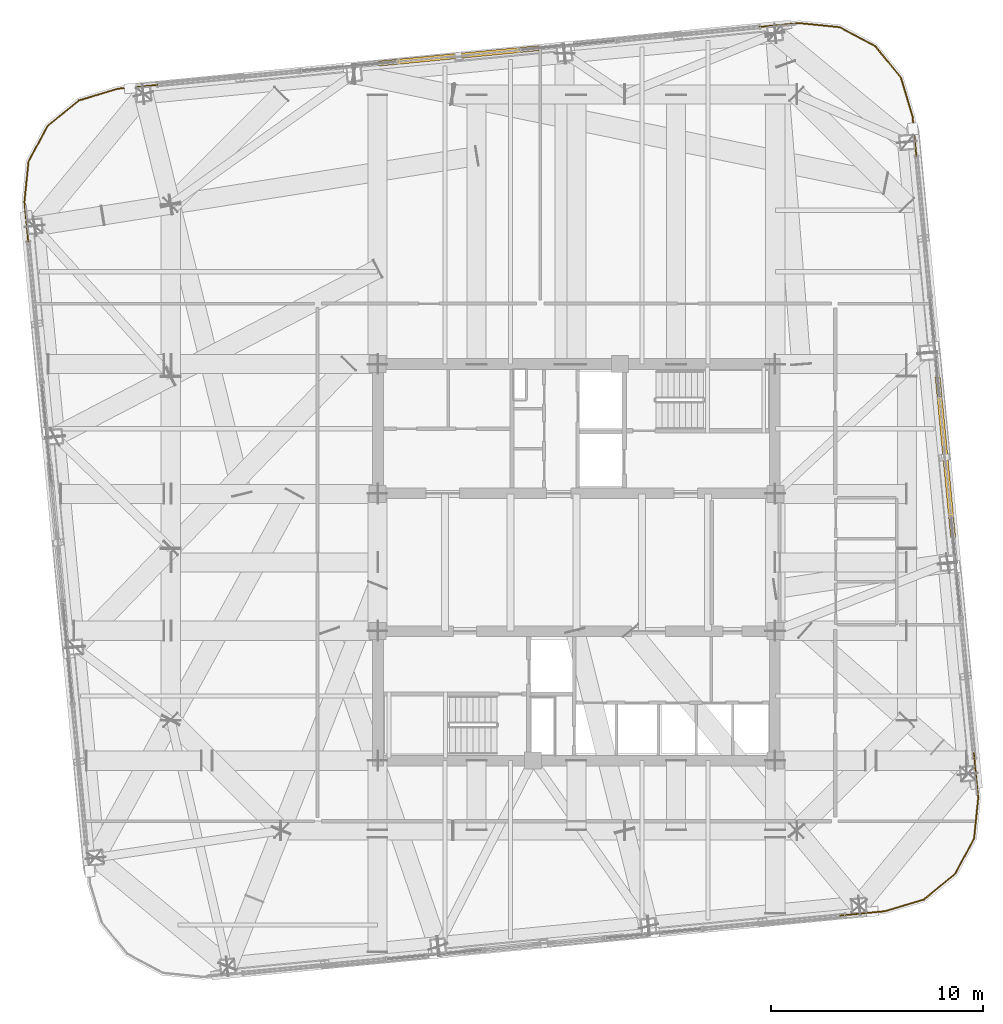
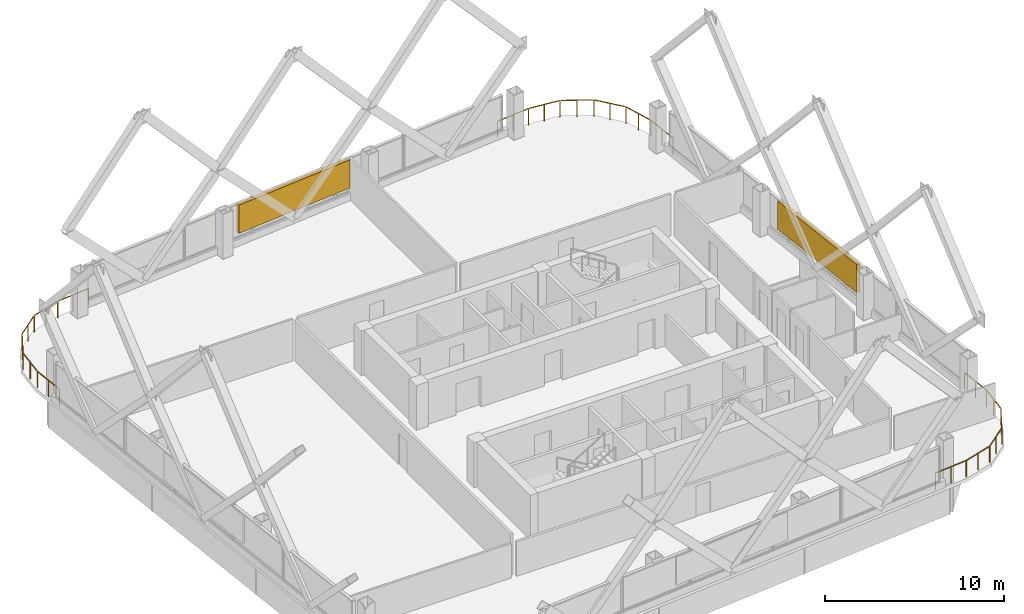
# One storey, part 37 of 37: 4 railings, 2 shading devices.
"""IFC4 building model written with IfcOpenShell, lengths in metres."""

from ifc_helpers import new_model, si_unit, direction, frame, origin, origin_2d, place, context, subcontext, project, spatial, rectangle, extrude, material, type_object, element, save


model = new_model("IFC4")

# Units and contexts
model_context = context("Model", 3, precision=1e-05, world=origin(), true_north=direction((0.0, 1.0)))
body_context = subcontext(model_context, "Body", "Model", "MODEL_VIEW")
ifc_project = project(units=[si_unit("LENGTHUNIT", "METRE"), si_unit("AREAUNIT", "SQUARE_METRE"), si_unit("VOLUMEUNIT", "CUBIC_METRE"), si_unit("PLANEANGLEUNIT", "RADIAN"), si_unit("MASSUNIT", "GRAM", prefix="KILO")], contexts=[model_context])

# Site, building, storey
site_placement = place(None, origin())
site = spatial("IfcSite", under=ifc_project, at=site_placement, CompositionType="ELEMENT")
building_placement = place(site_placement, origin())
building = spatial("IfcBuilding", under=site, at=building_placement, Name="Qhalaya Broadcast Tower", CompositionType="ELEMENT")
storey_placement = place(building_placement, frame((0.0, 0.0, 156.14990234375)))
storey = spatial("IfcBuildingStorey", under=building, at=storey_placement, Name="L45", CompositionType="ELEMENT", Elevation=156.14990234375)

# Railings
ifc_material_1 = material(Name="Powder-Coated Galvanised Steel", Category="steel")
railing_type = type_object("IfcRailingType", Name="Terrace, Sky-Pool & Lookout Glass Balustrade 1150", PredefinedType="BALUSTRADE", material=ifc_material_1)
railing_1_placement = place(storey_placement, frame((14.53955078125, -15.846435546875, 0.0)))
element("IfcRailing", 1, at=railing_1_placement, inside=storey, type_object=railing_type, Name="L45 Rounded Corner Perimeter Guard 01", PredefinedType="BALUSTRADE", context=body_context, shape_type="SweptSolid", body=[
    extrude(rectangle(XDim=0.048095703125, YDim=0.048095703125, at=origin_2d()), frame((0.0, 0.0, 1.1259765625), z_axis=(-0.995402268864, -0.095782687057, 0.0), x_axis=(0.095782687057, -0.995402268864, 0.0)), (0.0, 0.0, 1.0), 2.1181640625),
    extrude(rectangle(XDim=0.0419921875, YDim=0.0419921875, at=origin_2d()), origin(), (0.0, 0.0, 1.0), 1.099853515625),
    extrude(rectangle(XDim=0.0419921875, YDim=0.0419921875, at=origin_2d()), frame((-1.05419921875, -0.1015625, 0.0)), (0.0, 0.0, 1.0), 1.099853515625),
    extrude(rectangle(XDim=0.0419921875, YDim=0.0419921875, at=origin_2d()), frame((-2.1083984375, -0.202880859375, 0.0)), (0.0, 0.0, 1.0), 1.099853515625),
])
railing_2_placement = place(storey_placement, frame((-25.81689453125, 15.479736328125, 0.0)))
element("IfcRailing", 2, at=railing_2_placement, inside=storey, type_object=railing_type, Name="L45 Rounded Corner Perimeter Guard 03", PredefinedType="BALUSTRADE", context=body_context, shape_type="SweptSolid", body=[
    extrude(rectangle(XDim=0.048095703125, YDim=0.048095703125, at=origin_2d()), frame((0.0, 0.0, 1.1259765625), z_axis=(-0.095896889673, 0.995391273094, 0.0), x_axis=(-0.995391273094, -0.095896889673, 0.0)), (0.0, 0.0, 1.0), 2.08935546875),
    extrude(rectangle(XDim=0.048095703125, YDim=0.048095703125, at=origin_2d()), frame((-0.2001953125, 2.13720703125, 1.1259765625), z_axis=(0.100185175984, 0.994968808814, 0.0), x_axis=(-0.994968808814, 0.100185175984, 0.0)), (0.0, 0.0, 1.0), 1.857666015625),
    extrude(rectangle(XDim=0.048095703125, YDim=0.048095703125, at=origin_2d()), frame((0.00244140625, 4.03955078125, 1.1259765625), z_axis=(0.473342342286, 0.880878554058, 0.0), x_axis=(-0.880878554058, 0.473342342286, 0.0)), (0.0, 0.0, 1.0), 1.845458984375),
    extrude(rectangle(XDim=0.048095703125, YDim=0.048095703125, at=origin_2d()), frame((0.912109375, 5.708984375, 1.1259765625), z_axis=(0.774368685352, 0.632734651451, 0.0), x_axis=(-0.632734651451, 0.774368685352, 0.0)), (0.0, 0.0, 1.0), 1.84521484375),
    extrude(rectangle(XDim=0.048095703125, YDim=0.048095703125, at=origin_2d()), frame((2.390869140625, 6.903076171875, 1.1259765625), z_axis=(0.957576860039, 0.288177995547, 0.0), x_axis=(-0.288177995547, 0.957576860039, 0.0)), (0.0, 0.0, 1.0), 1.857666015625),
    extrude(rectangle(XDim=0.048095703125, YDim=0.048095703125, at=origin_2d()), frame((4.226318359375, 7.449462890625, 1.1259765625), z_axis=(0.995402268864, 0.095782687057, 0.0), x_axis=(-0.095782687057, 0.995402268864, 0.0)), (0.0, 0.0, 1.0), 2.08935546875),
    extrude(rectangle(XDim=0.0419921875, YDim=0.0419921875, at=origin_2d()), origin(), (0.0, 0.0, 1.0), 1.099853515625),
    extrude(rectangle(XDim=0.0419921875, YDim=0.0419921875, at=origin_2d()), frame((-0.1015625, 1.05419921875, 0.0)), (0.0, 0.0, 1.0), 1.099853515625),
    extrude(rectangle(XDim=0.0419921875, YDim=0.0419921875, at=origin_2d()), frame((-0.203125, 2.1083984375, 0.0)), (0.0, 0.0, 1.0), 1.099853515625),
    extrude(rectangle(XDim=0.0419921875, YDim=0.0419921875, at=origin_2d()), frame((-0.107177734375, 3.061279296875, 0.0)), (0.0, 0.0, 1.0), 1.099853515625),
    extrude(rectangle(XDim=0.0419921875, YDim=0.0419921875, at=origin_2d()), frame((-0.01123046875, 4.01416015625, 0.0)), (0.0, 0.0, 1.0), 1.099853515625),
    extrude(rectangle(XDim=0.0419921875, YDim=0.0419921875, at=origin_2d()), frame((0.439208984375, 4.8525390625, 0.0)), (0.0, 0.0, 1.0), 1.099853515625),
    extrude(rectangle(XDim=0.0419921875, YDim=0.0419921875, at=origin_2d()), frame((0.8896484375, 5.690673828125, 0.0)), (0.0, 0.0, 1.0), 1.099853515625),
    extrude(rectangle(XDim=0.0419921875, YDim=0.0419921875, at=origin_2d()), frame((1.62646484375, 6.292724609375, 0.0)), (0.0, 0.0, 1.0), 1.099853515625),
    extrude(rectangle(XDim=0.0419921875, YDim=0.0419921875, at=origin_2d()), frame((2.36328125, 6.894775390625, 0.0)), (0.0, 0.0, 1.0), 1.099853515625),
    extrude(rectangle(XDim=0.0419921875, YDim=0.0419921875, at=origin_2d()), frame((3.2802734375, 7.1708984375, 0.0)), (0.0, 0.0, 1.0), 1.099853515625),
    extrude(rectangle(XDim=0.0419921875, YDim=0.0419921875, at=origin_2d()), frame((4.197509765625, 7.44677734375, 0.0)), (0.0, 0.0, 1.0), 1.099853515625),
    extrude(rectangle(XDim=0.0419921875, YDim=0.0419921875, at=origin_2d()), frame((5.251708984375, 7.54833984375, 0.0)), (0.0, 0.0, 1.0), 1.099853515625),
    extrude(rectangle(XDim=0.0419921875, YDim=0.0419921875, at=origin_2d()), frame((6.305908203125, 7.649658203125, 0.0)), (0.0, 0.0, 1.0), 1.099853515625),
])
railing_3_placement = place(storey_placement, frame((8.39990234375, 25.81689453125, 0.0)))
element("IfcRailing", 3, at=railing_3_placement, inside=storey, type_object=railing_type, Name="L45 Rounded Corner Perimeter Guard 04", PredefinedType="BALUSTRADE", context=body_context, shape_type="SweptSolid", body=[
    extrude(rectangle(XDim=0.048095703125, YDim=0.048095703125, at=origin_2d()), frame((0.0, 0.0, 1.1259765625), z_axis=(0.995391273094, 0.095896889673, 0.0), x_axis=(-0.095896889673, 0.995391273094, 0.0)), (0.0, 0.0, 1.0), 2.08935546875),
    extrude(rectangle(XDim=0.048095703125, YDim=0.048095703125, at=origin_2d()), frame((2.13720703125, 0.2001953125, 1.1259765625), z_axis=(0.994967529225, -0.100197883148, 0.0), x_axis=(0.100197883148, 0.994967529225, 0.0)), (0.0, 0.0, 1.0), 1.857421875),
    extrude(rectangle(XDim=0.048095703125, YDim=0.048095703125, at=origin_2d()), frame((4.039306640625, -0.00244140625, 1.1259765625), z_axis=(0.880878554058, -0.473342342286, 0.0), x_axis=(0.473342342286, 0.880878554058, 0.0)), (0.0, 0.0, 1.0), 1.845458984375),
    extrude(rectangle(XDim=0.048095703125, YDim=0.048095703125, at=origin_2d()), frame((5.708740234375, -0.912109375, 1.1259765625), z_axis=(0.632734651451, -0.774368685352, 0.0), x_axis=(0.774368685352, 0.632734651451, 0.0)), (0.0, 0.0, 1.0), 1.84521484375),
    extrude(rectangle(XDim=0.048095703125, YDim=0.048095703125, at=origin_2d()), frame((6.90283203125, -2.390869140625, 1.1259765625), z_axis=(0.288177995547, -0.957576860039, 0.0), x_axis=(0.957576860039, 0.288177995547, 0.0)), (0.0, 0.0, 1.0), 1.857666015625),
    extrude(rectangle(XDim=0.048095703125, YDim=0.048095703125, at=origin_2d()), frame((7.44921875, -4.226318359375, 1.1259765625), z_axis=(0.095782687057, -0.995402268864, 0.0), x_axis=(0.995402268864, 0.095782687057, 0.0)), (0.0, 0.0, 1.0), 2.08935546875),
    extrude(rectangle(XDim=0.0419921875, YDim=0.0419921875, at=origin_2d()), origin(), (0.0, 0.0, 1.0), 1.099853515625),
    extrude(rectangle(XDim=0.0419921875, YDim=0.0419921875, at=origin_2d()), frame((1.05419921875, 0.1015625, 0.0)), (0.0, 0.0, 1.0), 1.099853515625),
    extrude(rectangle(XDim=0.0419921875, YDim=0.0419921875, at=origin_2d()), frame((2.1083984375, 0.203125, 0.0)), (0.0, 0.0, 1.0), 1.099853515625),
    extrude(rectangle(XDim=0.0419921875, YDim=0.0419921875, at=origin_2d()), frame((3.06103515625, 0.107177734375, 0.0)), (0.0, 0.0, 1.0), 1.099853515625),
    extrude(rectangle(XDim=0.0419921875, YDim=0.0419921875, at=origin_2d()), frame((4.013916015625, 0.01123046875, 0.0)), (0.0, 0.0, 1.0), 1.099853515625),
    extrude(rectangle(XDim=0.0419921875, YDim=0.0419921875, at=origin_2d()), frame((4.85205078125, -0.439208984375, 0.0)), (0.0, 0.0, 1.0), 1.099853515625),
    extrude(rectangle(XDim=0.0419921875, YDim=0.0419921875, at=origin_2d()), frame((5.6904296875, -0.8896484375, 0.0)), (0.0, 0.0, 1.0), 1.099853515625),
    extrude(rectangle(XDim=0.0419921875, YDim=0.0419921875, at=origin_2d()), frame((6.29248046875, -1.62646484375, 0.0)), (0.0, 0.0, 1.0), 1.099853515625),
    extrude(rectangle(XDim=0.0419921875, YDim=0.0419921875, at=origin_2d()), frame((6.89453125, -2.36328125, 0.0)), (0.0, 0.0, 1.0), 1.099853515625),
    extrude(rectangle(XDim=0.0419921875, YDim=0.0419921875, at=origin_2d()), frame((7.17041015625, -3.2802734375, 0.0)), (0.0, 0.0, 1.0), 1.099853515625),
    extrude(rectangle(XDim=0.0419921875, YDim=0.0419921875, at=origin_2d()), frame((7.446533203125, -4.197509765625, 0.0)), (0.0, 0.0, 1.0), 1.099853515625),
    extrude(rectangle(XDim=0.0419921875, YDim=0.0419921875, at=origin_2d()), frame((7.5478515625, -5.251708984375, 0.0)), (0.0, 0.0, 1.0), 1.099853515625),
    extrude(rectangle(XDim=0.0419921875, YDim=0.0419921875, at=origin_2d()), frame((7.6494140625, -6.305908203125, 0.0)), (0.0, 0.0, 1.0), 1.099853515625),
])
railing_4_placement = place(storey_placement, frame((18.73681640625, -8.39990234375, 0.0)))
element("IfcRailing", 4, at=railing_4_placement, inside=storey, type_object=railing_type, Name="L45 Rounded Corner Perimeter Guard 05", PredefinedType="BALUSTRADE", context=body_context, shape_type="SweptSolid", body=[
    extrude(rectangle(XDim=0.048095703125, YDim=0.048095703125, at=origin_2d()), frame((0.0, 0.0, 1.1259765625), z_axis=(0.095896889673, -0.995391273094, 0.0), x_axis=(0.995391273094, 0.095896889673, 0.0)), (0.0, 0.0, 1.0), 2.08935546875),
    extrude(rectangle(XDim=0.048095703125, YDim=0.048095703125, at=origin_2d()), frame((0.2001953125, -2.13720703125, 1.1259765625), z_axis=(-0.100197883148, -0.994967529225, 0.0), x_axis=(0.994967529225, -0.100197883148, 0.0)), (0.0, 0.0, 1.0), 1.857421875),
    extrude(rectangle(XDim=0.048095703125, YDim=0.048095703125, at=origin_2d()), frame((-0.00244140625, -4.039306640625, 1.1259765625), z_axis=(-0.473242797018, -0.880932037714, 0.0), x_axis=(0.880932037714, -0.473242797018, 0.0)), (0.0, 0.0, 1.0), 1.845458984375),
    extrude(rectangle(XDim=0.048095703125, YDim=0.048095703125, at=origin_2d()), frame((-0.911865234375, -5.708740234375, 1.1259765625), z_axis=(-0.774420039683, -0.632671796541, 0.0), x_axis=(0.632671796541, -0.774420039683, 0.0)), (0.0, 0.0, 1.0), 1.845458984375),
    extrude(rectangle(XDim=0.048095703125, YDim=0.048095703125, at=origin_2d()), frame((-2.390869140625, -6.90283203125, 1.1259765625), z_axis=(-0.95756627332, -0.288213171456, 0.0), x_axis=(0.288213171456, -0.95756627332, 0.0)), (0.0, 0.0, 1.0), 1.886474609375),
    extrude(rectangle(XDim=0.0419921875, YDim=0.0419921875, at=origin_2d()), origin(), (0.0, 0.0, 1.0), 1.099853515625),
    extrude(rectangle(XDim=0.0419921875, YDim=0.0419921875, at=origin_2d()), frame((0.1015625, -1.05419921875, 0.0)), (0.0, 0.0, 1.0), 1.099853515625),
    extrude(rectangle(XDim=0.0419921875, YDim=0.0419921875, at=origin_2d()), frame((0.203125, -2.1083984375, 0.0)), (0.0, 0.0, 1.0), 1.099853515625),
    extrude(rectangle(XDim=0.0419921875, YDim=0.0419921875, at=origin_2d()), frame((0.107177734375, -3.06103515625, 0.0)), (0.0, 0.0, 1.0), 1.099853515625),
    extrude(rectangle(XDim=0.0419921875, YDim=0.0419921875, at=origin_2d()), frame((0.01123046875, -4.013916015625, 0.0)), (0.0, 0.0, 1.0), 1.099853515625),
    extrude(rectangle(XDim=0.0419921875, YDim=0.0419921875, at=origin_2d()), frame((-0.43896484375, -4.85205078125, 0.0)), (0.0, 0.0, 1.0), 1.099853515625),
    extrude(rectangle(XDim=0.0419921875, YDim=0.0419921875, at=origin_2d()), frame((-0.889404296875, -5.6904296875, 0.0)), (0.0, 0.0, 1.0), 1.099853515625),
    extrude(rectangle(XDim=0.0419921875, YDim=0.0419921875, at=origin_2d()), frame((-1.62646484375, -6.29248046875, 0.0)), (0.0, 0.0, 1.0), 1.099853515625),
    extrude(rectangle(XDim=0.0419921875, YDim=0.0419921875, at=origin_2d()), frame((-2.36328125, -6.89453125, 0.0)), (0.0, 0.0, 1.0), 1.099853515625),
    extrude(rectangle(XDim=0.0419921875, YDim=0.0419921875, at=origin_2d()), frame((-3.2802734375, -7.17041015625, 0.0)), (0.0, 0.0, 1.0), 1.099853515625),
    extrude(rectangle(XDim=0.0419921875, YDim=0.0419921875, at=origin_2d()), frame((-4.197265625, -7.446533203125, 0.0)), (0.0, 0.0, 1.0), 1.099853515625),
])

# Shading devices
ifc_material_2 = material(Name="Fired Architectural Terracotta", Category="masonry")
shading_device_type = type_object("IfcShadingDeviceType", Name="Terracotta Baguette Solar Screen Assembly TBS-01", PredefinedType="USERDEFINED", material=ifc_material_2)
for number, where, z_axis, x_axis, name in (
    (5, (17.393310546875, 5.5556640625, 0.79248046875), (0.0, 0.0, 1.0), (-0.09584575252, 0.995396198367, 0.0), "L45 Fired Terracotta Baguette Screen E"),
    (6, (-5.5556640625, 24.47314453125, 0.79248046875), (0.0, 0.0, 1.0), (-0.995396198367, -0.09584575252, 0.0), "L45 Fired Terracotta Baguette Screen N"),
):
    element("IfcShadingDevice", number, at=place(storey_placement, frame(where, z_axis=z_axis, x_axis=x_axis)), inside=storey, type_object=shading_device_type, Name=name, ObjectType="BAGUETTE", PredefinedType="USERDEFINED", context=body_context, shape_type="SweptSolid", body=[
        extrude(rectangle(XDim=7.60009765625, YDim=0.239990234375, at=origin_2d()), origin(), (0.0, 0.0, 1.0), 1.924072265625),
    ])

save(model, "model.ifc")
